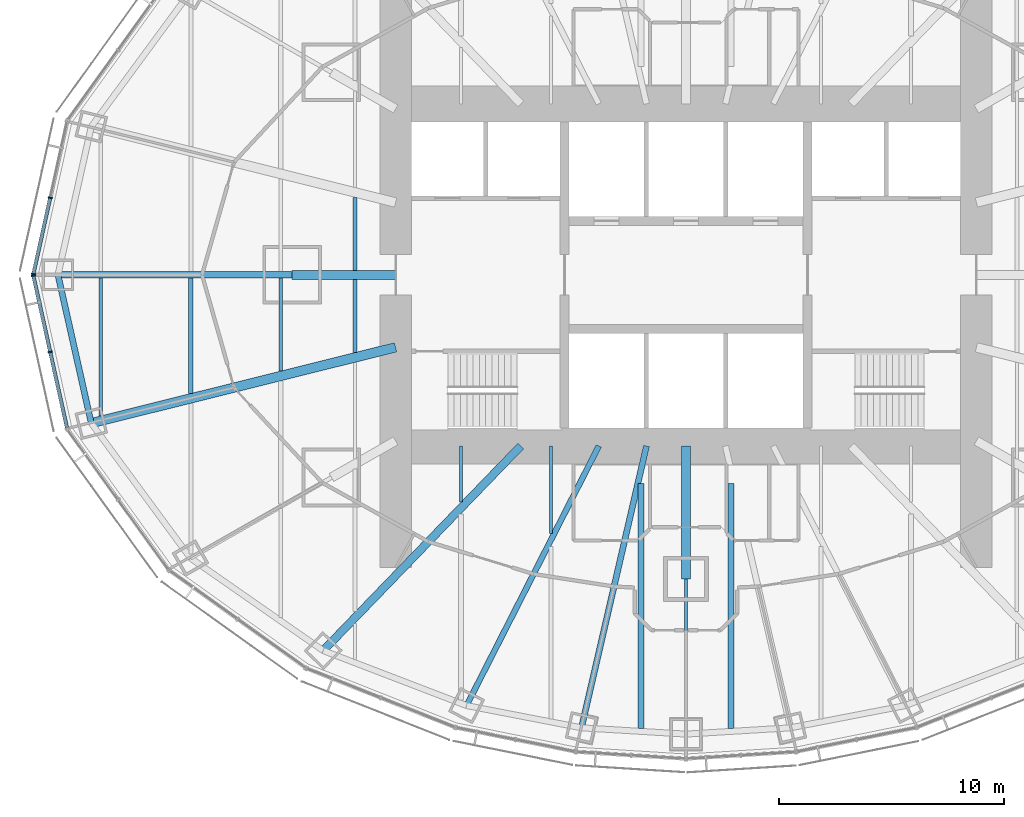
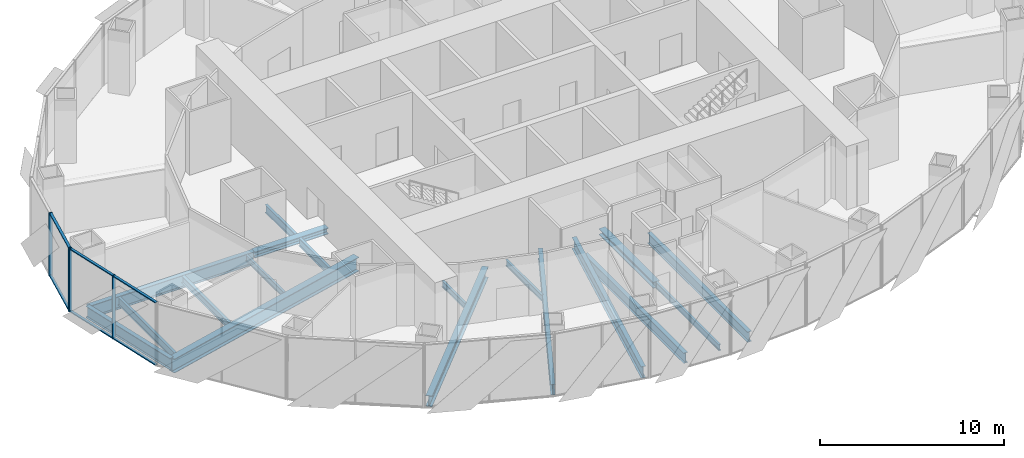
# One storey, part 3 of 17: 18 beams, 10 members, 2 elements without a shape of their own.
"""IFC4 building model written with IfcOpenShell, lengths in metres."""

from ifc_helpers import new_model, si_unit, direction, frame, origin, origin_2d, place, context, subcontext, project, spatial, rectangle, i_section, extrude, material, material_profile, profile_set, type_object, element, aggregate, save


model = new_model("IFC4")

# Units and contexts
model_context = context("Model", 3, precision=1e-05, world=origin(), true_north=direction((0.0, 1.0)))
body_context = subcontext(model_context, "Body", "Model", "MODEL_VIEW")
ifc_project = project(units=[si_unit("LENGTHUNIT", "METRE"), si_unit("AREAUNIT", "SQUARE_METRE"), si_unit("VOLUMEUNIT", "CUBIC_METRE"), si_unit("PLANEANGLEUNIT", "RADIAN"), si_unit("MASSUNIT", "GRAM", prefix="KILO")], contexts=[model_context])

# Site, building, storey
site_placement = place(None, origin())
site = spatial("IfcSite", under=ifc_project, at=site_placement, CompositionType="ELEMENT")
building_placement = place(site_placement, origin())
building = spatial("IfcBuilding", under=site, at=building_placement, Name="Lantaw Convention Tower", CompositionType="ELEMENT")
storey_placement = place(building_placement, frame((0.0, 0.0, 155.199951171875)))
storey = spatial("IfcBuildingStorey", under=building, at=storey_placement, Name="L36", CompositionType="ELEMENT", Elevation=155.199951171875)

# Beams
ifc_material_1 = material(Name="Steel ASTM A992", Category="steel")
ifc_material_profile_1 = material_profile(ifc_material_1, i_section(OverallWidth=0.2666015625, OverallDepth=0.76953125, WebThickness=0.015625, FlangeThickness=0.025390625, FilletRadius=0.0126953125, at=origin_2d()), Name="W30X132")
ifc_profile_set_1 = profile_set([ifc_material_profile_1], Name="Steel ASTM A992")
beam_type_1 = type_object("IfcBeamType", Name="Beam E W30X132", PredefinedType="SPANDREL", material=ifc_profile_set_1)
beam_1_placement = place(storey_placement, frame((-27.89990234375, 0.0, -0.53466796875), z_axis=(0.219211877447, -0.975677279015, 0.0), x_axis=(0.975677279015, 0.219211877447, 0.0)))
element("IfcBeam", 1, at=beam_1_placement, inside=storey, type_object=beam_type_1, Name="Edge beam 13", PredefinedType="SPANDREL", context=body_context, shape_type="SweptSolid", body=[
    extrude(i_section(OverallWidth=0.2666015625, OverallDepth=0.76953125, WebThickness=0.015625, FlangeThickness=0.025390625, FilletRadius=0.0126953125, at=origin_2d()), origin(), (0.0, 0.0, 1.0), 6.75146484375),
])
ifc_material_profile_2 = material_profile(ifc_material_1, i_section(OverallWidth=0.140380859375, OverallDepth=0.40380859375, WebThickness=0.007080078125, FlangeThickness=0.01123046875, FilletRadius=0.01025390625, at=origin_2d()), Name="W16X31")
ifc_profile_set_2 = profile_set([ifc_material_profile_2], Name="Steel ASTM A992")
beam_type_2 = type_object("IfcBeamType", Name="Beam G W16X31", PredefinedType="BEAM", material=ifc_profile_set_2)
beam_2_placement = place(storey_placement, frame((0.0, -13.5, -0.351806640625), z_axis=(0.0, -1.0, 0.0), x_axis=(1.0, 0.0, 0.0)))
element("IfcBeam", 2, at=beam_2_placement, inside=storey, type_object=beam_type_2, Name="Floor girder on ray 19", PredefinedType="BEAM", context=body_context, shape_type="SweptSolid", body=[
    extrude(i_section(OverallWidth=0.140380859375, OverallDepth=0.40380859375, WebThickness=0.007080078125, FlangeThickness=0.01123046875, FilletRadius=0.01025390625, at=origin_2d()), origin(), (0.0, 0.0, 1.0), 6.89990234375),
])
ifc_material_profile_3 = material_profile(ifc_material_1, i_section(OverallWidth=0.25390625, OverallDepth=0.700927734375, WebThickness=0.015380859375, FlangeThickness=0.02783203125, FilletRadius=0.01513671875, at=origin_2d()), Name="W27X129")
ifc_profile_set_3 = profile_set([ifc_material_profile_3], Name="Steel ASTM A992")
beam_type_3 = type_object("IfcBeamType", Name="Beam G W27X129", PredefinedType="BEAM", material=ifc_profile_set_3)
beam_3_placement = place(storey_placement, frame((-3.872314453125, -7.60009765625, -0.50048828125), z_axis=(-0.453991051051, -0.891006243281, 0.0), x_axis=(0.891006243281, -0.453991051051, 0.0)))
element("IfcBeam", 3, at=beam_3_placement, inside=storey, type_object=beam_type_3, Name="Floor girder on ray 17", PredefinedType="BEAM", context=body_context, shape_type="SweptSolid", body=[
    extrude(i_section(OverallWidth=0.25390625, OverallDepth=0.700927734375, WebThickness=0.015380859375, FlangeThickness=0.02783203125, FilletRadius=0.01513671875, at=origin_2d()), origin(), (0.0, 0.0, 1.0), 12.943359375),
])
ifc_material_profile_4 = material_profile(ifc_material_1, i_section(OverallWidth=0.360595703125, OverallDepth=0.72900390625, WebThickness=0.023193359375, FlangeThickness=0.041015625, FilletRadius=0.0126953125, at=origin_2d()), Name="W27X235")
ifc_profile_set_4 = profile_set([ifc_material_profile_4], Name="Steel ASTM A992")
beam_type_4 = type_object("IfcBeamType", Name="Beam G W27X235", PredefinedType="BEAM", material=ifc_profile_set_4)
beam_4_placement = place(storey_placement, frame((-7.33935546875, -7.60009765625, -0.514404296875), z_axis=(-0.694663467407, -0.719334878239, 0.0), x_axis=(0.719334878239, -0.694663467407, 0.0)))
element("IfcBeam", 4, at=beam_4_placement, inside=storey, type_object=beam_type_4, Name="Floor girder on ray 16", PredefinedType="BEAM", context=body_context, shape_type="SweptSolid", body=[
    extrude(i_section(OverallWidth=0.360595703125, OverallDepth=0.72900390625, WebThickness=0.023193359375, FlangeThickness=0.041015625, FilletRadius=0.0126953125, at=origin_2d()), origin(), (0.0, 0.0, 1.0), 12.63671875),
])
ifc_material_profile_5 = material_profile(ifc_material_1, i_section(OverallWidth=0.2666015625, OverallDepth=0.7568359375, WebThickness=0.013916015625, FlangeThickness=0.019287109375, FilletRadius=0.0126953125, at=origin_2d()), Name="W30X108")
ifc_profile_set_5 = profile_set([ifc_material_profile_5], Name="Steel ASTM A992")
beam_type_5 = type_object("IfcBeamType", Name="Beam G W30X108", PredefinedType="BEAM", material=ifc_profile_set_5)
beam_5_placement = place(storey_placement, frame((-1.754638671875, -7.60009765625, -0.5283203125), z_axis=(-0.224944153104, -0.974371658036, 0.0), x_axis=(0.974371658036, -0.224944153104, 0.0)))
element("IfcBeam", 5, at=beam_5_placement, inside=storey, type_object=beam_type_5, Name="Floor girder on ray 18", PredefinedType="BEAM", context=body_context, shape_type="SweptSolid", body=[
    extrude(i_section(OverallWidth=0.2666015625, OverallDepth=0.7568359375, WebThickness=0.013916015625, FlangeThickness=0.019287109375, FilletRadius=0.0126953125, at=origin_2d()), origin(), (0.0, 0.0, 1.0), 12.849365234375),
])
ifc_material_profile_6 = material_profile(ifc_material_1, i_section(OverallWidth=0.2919921875, OverallDepth=0.845703125, WebThickness=0.015380859375, FlangeThickness=0.0244140625, FilletRadius=0.01513671875, at=origin_2d()), Name="W33X141")
ifc_profile_set_6 = profile_set([ifc_material_profile_6], Name="Steel ASTM A992")
beam_type_6 = type_object("IfcBeamType", Name="Beam G W33X141", PredefinedType="BEAM", material=ifc_profile_set_6)
beam_6_placement = place(storey_placement, frame((-17.5, 0.0, -0.57275390625), z_axis=(-1.0, 0.0, 0.0), x_axis=(0.0, -1.0, 0.0)))
element("IfcBeam", 6, at=beam_6_placement, inside=storey, type_object=beam_type_6, Name="Floor girder on ray 13", PredefinedType="BEAM", context=body_context, shape_type="SweptSolid", body=[
    extrude(i_section(OverallWidth=0.2919921875, OverallDepth=0.845703125, WebThickness=0.015380859375, FlangeThickness=0.0244140625, FilletRadius=0.01513671875, at=origin_2d()), origin(), (0.0, 0.0, 1.0), 10.39990234375),
])
ifc_material_profile_7 = material_profile(ifc_material_1, i_section(OverallWidth=0.421630859375, OverallDepth=0.937255859375, WebThickness=0.0224609375, FlangeThickness=0.039794921875, FilletRadius=0.02001953125, at=origin_2d()), Name="W36X282")
ifc_profile_set_7 = profile_set([ifc_material_profile_7], Name="Steel ASTM A992")
beam_type_7 = type_object("IfcBeamType", Name="Beam G W36X282", PredefinedType="BEAM", material=ifc_profile_set_7)
beam_7_placement = place(storey_placement, frame((-12.89990234375, -3.21630859375, -0.61865234375), z_axis=(-0.970296903132, -0.24191717544, 0.0), x_axis=(0.24191717544, -0.970296903132, 0.0)))
element("IfcBeam", 7, at=beam_7_placement, inside=storey, type_object=beam_type_7, Name="Floor girder on ray 14", PredefinedType="BEAM", context=body_context, shape_type="SweptSolid", body=[
    extrude(i_section(OverallWidth=0.421630859375, OverallDepth=0.937255859375, WebThickness=0.0224609375, FlangeThickness=0.039794921875, FilletRadius=0.02001953125, at=origin_2d()), origin(), (0.0, 0.0, 1.0), 13.933837890625),
])
ifc_material_profile_8 = material_profile(ifc_material_1, i_section(OverallWidth=0.40380859375, OverallDepth=0.406494140625, WebThickness=0.027099609375, FlangeThickness=0.043701171875, FilletRadius=0.01513671875, at=origin_2d()), Name="W14X233")
ifc_profile_set_8 = profile_set([ifc_material_profile_8], Name="Steel ASTM A992")
beam_type_8 = type_object("IfcBeamType", Name="Beam GM W14X233", PredefinedType="BEAM", material=ifc_profile_set_8)
beam_8_placement = place(storey_placement, frame((-12.89990234375, 0.0, -0.353271484375), z_axis=(-1.0, 0.0, 0.0), x_axis=(0.0, -1.0, 0.0)))
element("IfcBeam", 8, at=beam_8_placement, inside=storey, type_object=beam_type_8, Name="Core link beam on ray 13", PredefinedType="BEAM", context=body_context, shape_type="SweptSolid", body=[
    extrude(i_section(OverallWidth=0.40380859375, OverallDepth=0.406494140625, WebThickness=0.027099609375, FlangeThickness=0.043701171875, FilletRadius=0.01513671875, at=origin_2d()), origin(), (0.0, 0.0, 1.0), 4.60009765625),
])
beam_9_placement = place(storey_placement, frame((0.0, -7.60009765625, -0.353271484375), z_axis=(0.0, -1.0, 0.0), x_axis=(1.0, 0.0, 0.0)))
element("IfcBeam", 9, at=beam_9_placement, inside=storey, type_object=beam_type_8, Name="Core link beam on ray 19", PredefinedType="BEAM", context=body_context, shape_type="SweptSolid", body=[
    extrude(i_section(OverallWidth=0.40380859375, OverallDepth=0.406494140625, WebThickness=0.027099609375, FlangeThickness=0.043701171875, FilletRadius=0.01513671875, at=origin_2d()), origin(), (0.0, 0.0, 1.0), 5.89990234375),
])
ifc_material_profile_9 = material_profile(ifc_material_1, i_section(OverallWidth=0.140380859375, OverallDepth=0.40380859375, WebThickness=0.007080078125, FlangeThickness=0.01123046875, FilletRadius=0.01025390625, at=origin_2d()), Name="W16X31")
ifc_profile_set_9 = profile_set([ifc_material_profile_9], Name="Steel ASTM A992")
beam_type_9 = type_object("IfcBeamType", Name="Beam J W16X31", PredefinedType="JOIST", material=ifc_profile_set_9)
beam_10_placement = place(storey_placement, frame((-18.0, -4.270751953125, -0.351806640625), z_axis=(0.0, 1.0, 0.0), x_axis=(-1.0, 0.0, 0.0)))
element("IfcBeam", 10, at=beam_10_placement, inside=storey, type_object=beam_type_9, Name="Floor joist", PredefinedType="JOIST", context=body_context, shape_type="SweptSolid", body=[
    extrude(i_section(OverallWidth=0.140380859375, OverallDepth=0.40380859375, WebThickness=0.007080078125, FlangeThickness=0.01123046875, FilletRadius=0.01025390625, at=origin_2d()), origin(), (0.0, 0.0, 1.0), 4.124755859375),
])
beam_11_placement = place(storey_placement, frame((-10.0, -10.095703125, -0.351806640625), z_axis=(0.0, 1.0, 0.0), x_axis=(-1.0, 0.0, 0.0)))
element("IfcBeam", 11, at=beam_11_placement, inside=storey, type_object=beam_type_9, Name="Floor joist", PredefinedType="JOIST", context=body_context, shape_type="SweptSolid", body=[
    extrude(i_section(OverallWidth=0.140380859375, OverallDepth=0.40380859375, WebThickness=0.007080078125, FlangeThickness=0.01123046875, FilletRadius=0.01025390625, at=origin_2d()), origin(), (0.0, 0.0, 1.0), 2.49560546875),
])
beam_12_placement = place(storey_placement, frame((-6.0, -11.495849609375, -0.351806640625), z_axis=(0.0, 1.0, 0.0), x_axis=(-1.0, 0.0, 0.0)))
element("IfcBeam", 12, at=beam_12_placement, inside=storey, type_object=beam_type_9, Name="Floor joist", PredefinedType="JOIST", context=body_context, shape_type="SweptSolid", body=[
    extrude(i_section(OverallWidth=0.140380859375, OverallDepth=0.40380859375, WebThickness=0.007080078125, FlangeThickness=0.01123046875, FilletRadius=0.01025390625, at=origin_2d()), origin(), (0.0, 0.0, 1.0), 3.895751953125),
])
ifc_material_profile_10 = material_profile(ifc_material_1, i_section(OverallWidth=0.1904296875, OverallDepth=0.457275390625, WebThickness=0.009033203125, FlangeThickness=0.014404296875, FilletRadius=0.01025390625, at=origin_2d()), Name="W18X50")
ifc_profile_set_10 = profile_set([ifc_material_profile_10], Name="Steel ASTM A992")
beam_type_10 = type_object("IfcBeamType", Name="Beam J W18X50", PredefinedType="JOIST", material=ifc_profile_set_10)
beam_13_placement = place(storey_placement, frame((-22.0, -5.267822265625, -0.378662109375), z_axis=(0.0, 1.0, 0.0), x_axis=(-1.0, 0.0, 0.0)))
element("IfcBeam", 13, at=beam_13_placement, inside=storey, type_object=beam_type_10, Name="Floor joist", PredefinedType="JOIST", context=body_context, shape_type="SweptSolid", body=[
    extrude(i_section(OverallWidth=0.1904296875, OverallDepth=0.457275390625, WebThickness=0.009033203125, FlangeThickness=0.014404296875, FilletRadius=0.01025390625, at=origin_2d()), origin(), (0.0, 0.0, 1.0), 5.121826171875),
])
ifc_material_profile_11 = material_profile(ifc_material_1, i_section(OverallWidth=0.1650390625, OverallDepth=0.52587890625, WebThickness=0.0087890625, FlangeThickness=0.011474609375, FilletRadius=0.0126953125, at=origin_2d()), Name="W21X44")
ifc_profile_set_11 = profile_set([ifc_material_profile_11], Name="Steel ASTM A992")
beam_type_11 = type_object("IfcBeamType", Name="Beam J W21X44", PredefinedType="JOIST", material=ifc_profile_set_11)
beam_14_placement = place(storey_placement, frame((-26.0, -6.26513671875, -0.412841796875), z_axis=(0.0, 1.0, 0.0), x_axis=(-1.0, 0.0, 0.0)))
element("IfcBeam", 14, at=beam_14_placement, inside=storey, type_object=beam_type_11, Name="Floor joist", PredefinedType="JOIST", context=body_context, shape_type="SweptSolid", body=[
    extrude(i_section(OverallWidth=0.1650390625, OverallDepth=0.52587890625, WebThickness=0.0087890625, FlangeThickness=0.011474609375, FilletRadius=0.0126953125, at=origin_2d()), origin(), (0.0, 0.0, 1.0), 6.119140625),
])
ifc_material_profile_12 = material_profile(ifc_material_1, i_section(OverallWidth=0.165771484375, OverallDepth=0.5283203125, WebThickness=0.009765625, FlangeThickness=0.013671875, FilletRadius=0.012939453125, at=origin_2d()), Name="W21X50")
ifc_profile_set_12 = profile_set([ifc_material_profile_12], Name="Steel ASTM A992")
beam_type_12 = type_object("IfcBeamType", Name="Beam J W21X50", PredefinedType="JOIST", material=ifc_profile_set_12)
for number, where, z_axis, x_axis, name in (
    (15, (-14.699951171875, -3.44775390625, -0.4140625), (0.0, 1.0, 0.0), (-1.0, 0.0, 0.0), "Floor joist"),
    (16, (-14.699951171875, 0.201904296875, -0.4140625), (0.0, 1.0, 0.0), (-1.0, 0.0, 0.0), "Floor joist"),
):
    element("IfcBeam", number, at=place(storey_placement, frame(where, z_axis=z_axis, x_axis=x_axis)), inside=storey, type_object=beam_type_12, Name=name, PredefinedType="JOIST", context=body_context, shape_type="SweptSolid", body=[
        extrude(i_section(OverallWidth=0.165771484375, OverallDepth=0.5283203125, WebThickness=0.009765625, FlangeThickness=0.013671875, FilletRadius=0.012939453125, at=origin_2d()), origin(), (0.0, 0.0, 1.0), 3.245849609375),
    ])
ifc_material_profile_13 = material_profile(ifc_material_1, i_section(OverallWidth=0.25390625, OverallDepth=0.683349609375, WebThickness=0.012451171875, FlangeThickness=0.01904296875, FilletRadius=0.01513671875, at=origin_2d()), Name="W27X94")
ifc_profile_set_13 = profile_set([ifc_material_profile_13], Name="Steel ASTM A992")
beam_type_13 = type_object("IfcBeamType", Name="Beam J W27X94", PredefinedType="JOIST", material=ifc_profile_set_13)
for number, where, z_axis, x_axis, name in (
    (17, (-2.0, -20.145751953125, -0.49169921875), (0.0, 1.0, 0.0), (-1.0, 0.0, 0.0), "Floor joist"),
    (18, (2.0, -20.145751953125, -0.49169921875), (0.0, 1.0, 0.0), (-1.0, 0.0, 0.0), "Floor joist"),
):
    element("IfcBeam", number, at=place(storey_placement, frame(where, z_axis=z_axis, x_axis=x_axis)), inside=storey, type_object=beam_type_13, Name=name, PredefinedType="JOIST", context=body_context, shape_type="SweptSolid", body=[
        extrude(i_section(OverallWidth=0.25390625, OverallDepth=0.683349609375, WebThickness=0.012451171875, FlangeThickness=0.01904296875, FilletRadius=0.01513671875, at=origin_2d()), origin(), (0.0, 0.0, 1.0), 10.889892578125),
    ])

# Curtain wall, members
ifc_material_2 = material(Name="Aluminium framed curtain wall", Category="aluminium")
curtain_wall_type = type_object("IfcCurtainWallType", Name="Office curtain wall low rise, pale aluminium", PredefinedType="USERDEFINED", material=ifc_material_2)
curtain_wall_1_placement = place(storey_placement, origin())
curtain_wall_1 = element("IfcCurtainWall", 19, at=curtain_wall_1_placement, inside=storey, type_object=curtain_wall_type, Name="Office curtain wall low rise, pale aluminium L36", ObjectType="UNITISED CURTAIN WALL", PredefinedType="USERDEFINED")
ifc_material_3 = material(Name="Aluminium 6063-T6", Category="aluminium")
ifc_material_profile_14 = material_profile(ifc_material_3, rectangle(XDim=0.199951171875, YDim=0.06494140625, at=origin_2d()), Name="CW-O1 mullion 65x200")
ifc_profile_set_14 = profile_set([ifc_material_profile_14], Name="Aluminium 6063-T6")
member_type_1 = type_object("IfcMemberType", Name="CW-O1 mullion 65x200", PredefinedType="MULLION", material=ifc_profile_set_14)
member_1_placement = place(storey_placement, frame((-28.24365234375, 3.4267578125, -0.14990234375), z_axis=(0.0, 0.0, 1.0), x_axis=(0.9764936509, -0.215546166174, 0.0)))
member_1 = element("IfcMember", 20, at=member_1_placement, type_object=member_type_1, Name="CW-O1 mullion 2", PredefinedType="MULLION", context=body_context, shape_type="SweptSolid", body=[
    extrude(rectangle(XDim=0.199951171875, YDim=0.06494140625, at=origin_2d()), origin(), (0.0, 0.0, 1.0), 4.199951171875),
])
member_2_placement = place(storey_placement, frame((-28.992919921875, 0.03173828125, -0.14990234375), z_axis=(0.0, 0.0, 1.0), x_axis=(0.9764936509, -0.215546166174, 0.0)))
member_2 = element("IfcMember", 21, at=member_2_placement, type_object=member_type_1, Name="CW-O1 mullion 3", PredefinedType="MULLION", context=body_context, shape_type="SweptSolid", body=[
    extrude(rectangle(XDim=0.199951171875, YDim=0.06494140625, at=origin_2d()), origin(), (0.0, 0.0, 1.0), 4.199951171875),
])

curtain_wall_2_placement = place(storey_placement, origin())
curtain_wall_2 = element("IfcCurtainWall", 22, at=curtain_wall_2_placement, inside=storey, type_object=curtain_wall_type, Name="Office curtain wall low rise, pale aluminium L36", ObjectType="UNITISED CURTAIN WALL", PredefinedType="USERDEFINED")
member_3_placement = place(storey_placement, frame((-28.992919921875, -0.03173828125, -0.14990234375), z_axis=(0.0, 0.0, 1.0), x_axis=(0.9764936509, 0.215546166174, 0.0)))
member_3 = element("IfcMember", 23, at=member_3_placement, type_object=member_type_1, Name="CW-O1 mullion 1", PredefinedType="MULLION", context=body_context, shape_type="SweptSolid", body=[
    extrude(rectangle(XDim=0.199951171875, YDim=0.06494140625, at=origin_2d()), origin(), (0.0, 0.0, 1.0), 4.199951171875),
])
member_4_placement = place(storey_placement, frame((-28.24365234375, -3.4267578125, -0.14990234375), z_axis=(0.0, 0.0, 1.0), x_axis=(0.9764936509, 0.215546166174, 0.0)))
member_4 = element("IfcMember", 24, at=member_4_placement, type_object=member_type_1, Name="CW-O1 mullion 2", PredefinedType="MULLION", context=body_context, shape_type="SweptSolid", body=[
    extrude(rectangle(XDim=0.199951171875, YDim=0.06494140625, at=origin_2d()), origin(), (0.0, 0.0, 1.0), 4.199951171875),
])

# Member
ifc_material_profile_15 = material_profile(ifc_material_3, rectangle(XDim=0.159912109375, YDim=0.06494140625, at=origin_2d()), Name="CW-O1 transom 65x160")
ifc_profile_set_15 = profile_set([ifc_material_profile_15], Name="Aluminium 6063-T6")
member_type_2 = type_object("IfcMemberType", Name="CW-O1 transom 65x160", PredefinedType="USERDEFINED", material=ifc_profile_set_15)
member_5_placement = place(storey_placement, frame((-28.250732421875, 3.39501953125, -0.117431640625), z_axis=(-0.215536096386, -0.976495873598, 0.0), x_axis=(0.976495873598, -0.215536096386, 0.0)))
member_5 = element("IfcMember", 25, at=member_5_placement, type_object=member_type_2, Name="CW-O1 transom 2.1", ObjectType="TRANSOM", PredefinedType="USERDEFINED", context=body_context, shape_type="SweptSolid", body=[
    extrude(rectangle(XDim=0.159912109375, YDim=0.06494140625, at=origin_2d()), origin(), (0.0, 0.0, 1.0), 3.41162109375),
])

member_6_placement = place(storey_placement, frame((-28.250732421875, 3.39501953125, 4.017578125), z_axis=(-0.215536096386, -0.976495873598, 0.0), x_axis=(0.976495873598, -0.215536096386, 0.0)))
member_6 = element("IfcMember", 26, at=member_6_placement, type_object=member_type_2, Name="CW-O1 transom 2.2", ObjectType="TRANSOM", PredefinedType="USERDEFINED", context=body_context, shape_type="SweptSolid", body=[
    extrude(rectangle(XDim=0.159912109375, YDim=0.06494140625, at=origin_2d()), origin(), (0.0, 0.0, 1.0), 3.41162109375),
])

aggregate(curtain_wall_1, [member_1, member_2, member_5, member_6])

member_7_placement = place(storey_placement, frame((-28.986083984375, -0.0634765625, -0.117431640625), z_axis=(0.215536096386, -0.976495873598, 0.0), x_axis=(0.976495873598, 0.215536096386, 0.0)))
member_7 = element("IfcMember", 27, at=member_7_placement, type_object=member_type_2, Name="CW-O1 transom 1.1", ObjectType="TRANSOM", PredefinedType="USERDEFINED", context=body_context, shape_type="SweptSolid", body=[
    extrude(rectangle(XDim=0.159912109375, YDim=0.06494140625, at=origin_2d()), origin(), (0.0, 0.0, 1.0), 3.41162109375),
])

member_8_placement = place(storey_placement, frame((-28.986083984375, -0.0634765625, 4.017578125), z_axis=(0.215536096386, -0.976495873598, 0.0), x_axis=(0.976495873598, 0.215536096386, 0.0)))
member_8 = element("IfcMember", 28, at=member_8_placement, type_object=member_type_2, Name="CW-O1 transom 1.2", ObjectType="TRANSOM", PredefinedType="USERDEFINED", context=body_context, shape_type="SweptSolid", body=[
    extrude(rectangle(XDim=0.159912109375, YDim=0.06494140625, at=origin_2d()), origin(), (0.0, 0.0, 1.0), 3.41162109375),
])

member_9_placement = place(storey_placement, frame((-28.236572265625, -3.45849609375, -0.117431640625), z_axis=(0.21555115847, -0.976492548913, 0.0), x_axis=(0.976492548913, 0.21555115847, 0.0)))
member_9 = element("IfcMember", 29, at=member_9_placement, type_object=member_type_2, Name="CW-O1 transom 2.1", ObjectType="TRANSOM", PredefinedType="USERDEFINED", context=body_context, shape_type="SweptSolid", body=[
    extrude(rectangle(XDim=0.159912109375, YDim=0.06494140625, at=origin_2d()), origin(), (0.0, 0.0, 1.0), 3.411376953125),
])

member_10_placement = place(storey_placement, frame((-28.236572265625, -3.45849609375, 4.017578125), z_axis=(0.21555115847, -0.976492548913, 0.0), x_axis=(0.976492548913, 0.21555115847, 0.0)))
member_10 = element("IfcMember", 30, at=member_10_placement, type_object=member_type_2, Name="CW-O1 transom 2.2", ObjectType="TRANSOM", PredefinedType="USERDEFINED", context=body_context, shape_type="SweptSolid", body=[
    extrude(rectangle(XDim=0.159912109375, YDim=0.06494140625, at=origin_2d()), origin(), (0.0, 0.0, 1.0), 3.411376953125),
])

aggregate(curtain_wall_2, [member_3, member_4, member_7, member_8, member_9, member_10])

save(model, "model.ifc")
